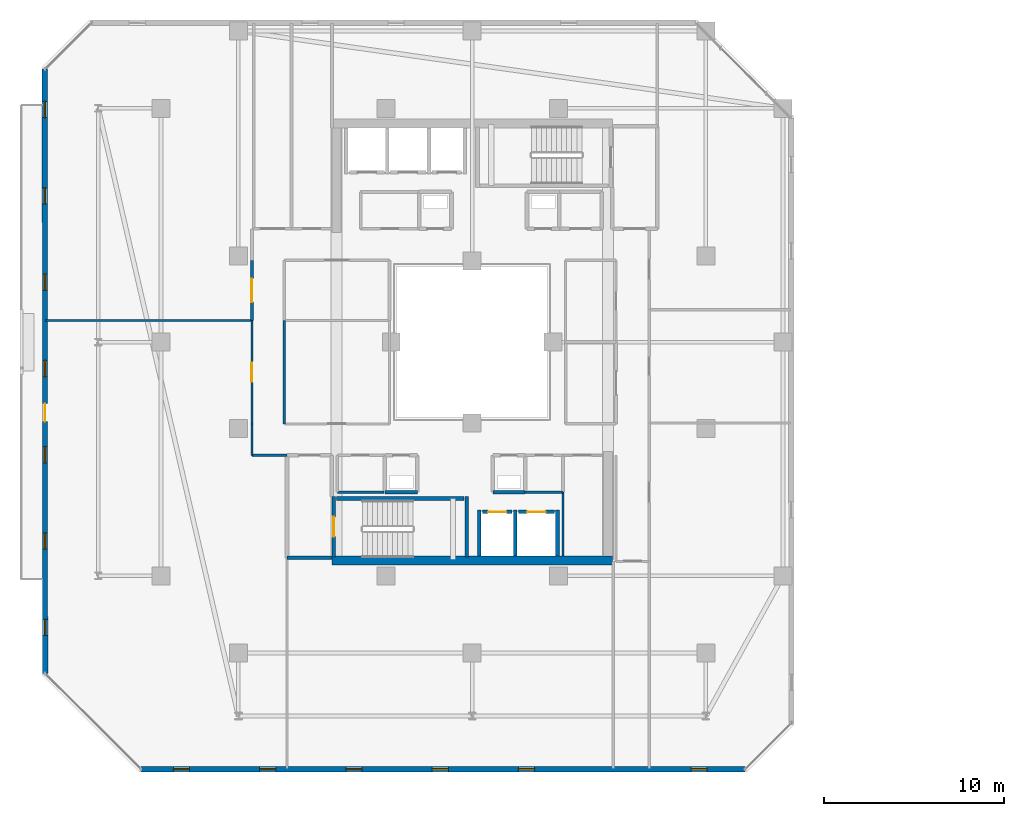
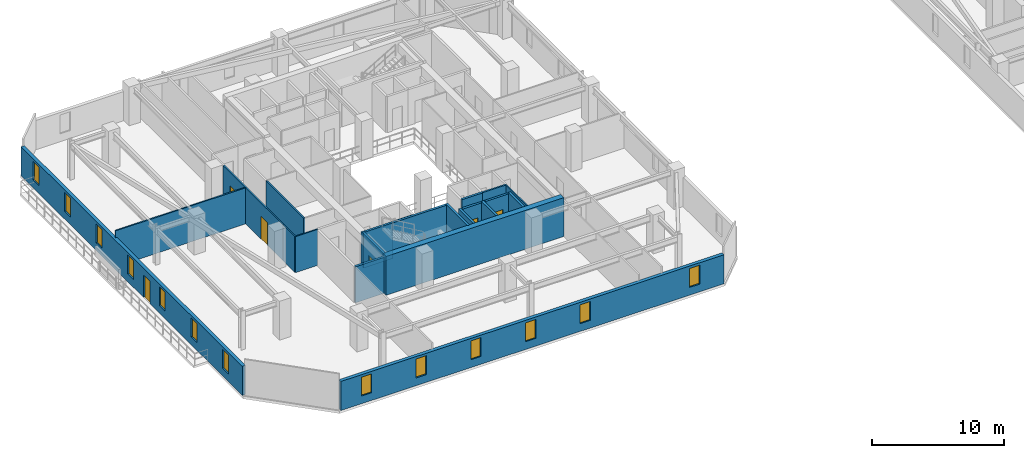
# One storey, part 18 of 32: 23 walls, 13 windows, 6 doors, 19 openings.
"""IFC4 building model written with IfcOpenShell, lengths in metres."""

from ifc_helpers import new_model, si_unit, direction, frame, frame_2d, origin, place, context, subcontext, project, spatial, rectangle, extrude, material, layer, layer_set, type_object, element, fill, save


model = new_model("IFC4")

# Units and contexts
model_context = context("Model", 3, precision=1e-05, world=origin(), true_north=direction((0.0, 1.0)))
body_context = subcontext(model_context, "Body", "Model", "MODEL_VIEW")
ifc_project = project(units=[si_unit("LENGTHUNIT", "METRE"), si_unit("AREAUNIT", "SQUARE_METRE"), si_unit("VOLUMEUNIT", "CUBIC_METRE"), si_unit("PLANEANGLEUNIT", "RADIAN"), si_unit("MASSUNIT", "GRAM", prefix="KILO")], contexts=[model_context])

# Site, building, storey
site_placement = place(None, origin())
site = spatial("IfcSite", under=ifc_project, at=site_placement, CompositionType="ELEMENT")
building_placement = place(site_placement, origin())
building = spatial("IfcBuilding", under=site, at=building_placement, Name="Thornwick Lancets Civic Towers", CompositionType="ELEMENT")
storey_placement = place(building_placement, frame((0.0, 0.0, 240.300048828125)))
storey = spatial("IfcBuildingStorey", under=building, at=storey_placement, Name="L64", CompositionType="ELEMENT", Elevation=240.300048828125)

# Wall, opening, door
ifc_material_1 = material(Name="Concrete blockwork C40/50", Category="masonry")
ifc_layer_1 = layer(ifc_material_1, 0.199951171875, Name="Concrete blockwork C40/50")
ifc_layer_set_1 = layer_set([ifc_layer_1], Name="Concrete blockwork C40/50")
wall_type_1 = type_object("IfcWallType", Name="WALL_COMP_200", PredefinedType="STANDARD", material=ifc_layer_set_1)
wall_1_placement = place(storey_placement, frame((26.080078125, 17.550048828125, 0.0), z_axis=(0.0, 0.0, 1.0), x_axis=(1.0, 0.0, 0.0)))
wall_1 = element("IfcWall", 1, at=wall_1_placement, inside=storey, type_object=wall_type_1, Name="L64 Hoistway Front Wall FL-A1", PredefinedType="STANDARD", context=body_context, shape_type="SweptSolid", body=[
    extrude(rectangle(XDim=1.639892578125, YDim=0.199951171875, at=frame_2d((0.81982421875, 0.0))), origin(), (0.0, 0.0, 1.0), 3.33984375),
])
opening_1_placement = place(wall_1_placement, frame((0.31005859375, 0.0, 0.0)))
opening_1 = element("IfcOpeningElement", 2, at=opening_1_placement, cuts=wall_1, Name="Opening LD-FL-A1", PredefinedType="OPENING", context=body_context, shape_type="SweptSolid", body=[
    extrude(rectangle(XDim=1.02001953125, YDim=2.06005859375, at=frame_2d((0.510009765625, 1.030029296875))), frame((0.0, 0.10986328125, 0.0), z_axis=(0.0, -1.0, 0.0), x_axis=(1.0, 0.0, 0.0)), (0.0, 0.0, 1.0), 0.219970703125),
])
ifc_material_2 = material(Name="Brushed bronze stainless steel", Category="steel")
door_type_1 = type_object("IfcDoorType", Name="DOOR_LIFT_SLIDE", OperationType="SLIDING_TO_LEFT", PredefinedType="DOOR", material=ifc_material_2)
door_1_placement = place(opening_1_placement, origin())
door_1 = element("IfcDoor", 3, at=door_1_placement, inside=storey, type_object=door_type_1, Name="L64 Sliding Lift Landing Door LD-FL-A1", OperationType="SLIDING_TO_LEFT", OverallHeight=2.06005859375, OverallWidth=1.02001953125, PredefinedType="DOOR", context=body_context, shape_type="SweptSolid", body=[
    extrude(rectangle(XDim=1.02001953125, YDim=2.06005859375, at=frame_2d((0.510009765625, 1.030029296875))), frame((0.0, 0.02490234375, 0.0), z_axis=(0.0, -1.0, 0.0), x_axis=(1.0, 0.0, 0.0)), (0.0, 0.0, 1.0), 0.050048828125),
])
fill(opening_1, door_1)

wall_2_placement = place(storey_placement, frame((28.080078125, 17.550048828125, 0.0), z_axis=(0.0, 0.0, 1.0), x_axis=(1.0, 0.0, 0.0)))
wall_2 = element("IfcWall", 4, at=wall_2_placement, inside=storey, type_object=wall_type_1, Name="L64 Hoistway Front Wall PL-AH1", PredefinedType="STANDARD", context=body_context, shape_type="SweptSolid", body=[
    extrude(rectangle(XDim=1.989990234375, YDim=0.199951171875, at=frame_2d((0.9951171875, 0.0))), origin(), (0.0, 0.0, 1.0), 3.33984375),
])
opening_2_placement = place(wall_2_placement, frame((0.485107421875, 0.0, 0.0)))
opening_2 = element("IfcOpeningElement", 5, at=opening_2_placement, cuts=wall_2, Name="Opening LD-PL-AH1", PredefinedType="OPENING", context=body_context, shape_type="SweptSolid", body=[
    extrude(rectangle(XDim=1.02001953125, YDim=2.06005859375, at=frame_2d((0.510009765625, 1.030029296875))), frame((0.0, 0.10986328125, 0.0), z_axis=(0.0, -1.0, 0.0), x_axis=(1.0, 0.0, 0.0)), (0.0, 0.0, 1.0), 0.219970703125),
])
door_2_placement = place(opening_2_placement, origin())
door_2 = element("IfcDoor", 6, at=door_2_placement, inside=storey, type_object=door_type_1, Name="L64 Sliding Lift Landing Door LD-PL-AH1", OperationType="SLIDING_TO_LEFT", OverallHeight=2.06005859375, OverallWidth=1.02001953125, PredefinedType="DOOR", context=body_context, shape_type="SweptSolid", body=[
    extrude(rectangle(XDim=1.02001953125, YDim=2.06005859375, at=frame_2d((0.510009765625, 1.030029296875))), frame((0.0, 0.02490234375, 0.0), z_axis=(0.0, -1.0, 0.0), x_axis=(1.0, 0.0, 0.0)), (0.0, 0.0, 1.0), 0.050048828125),
])
fill(opening_2, door_2)

# Walls
for number, where, z_axis, x_axis, name in (
    (7, (27.89990234375, 15.112060546875, 0.0), (0.0, 0.0, 1.0), (0.0, 1.0, 0.0), "L64 Hoistway Shaft Wall FL-A1 E"),
    (8, (25.89990234375, 15.112060546875, 0.0), (0.0, 0.0, 1.0), (0.0, 1.0, 0.0), "L64 Hoistway Shaft Wall FL-A1 W"),
    (9, (30.25, 15.112060546875, 0.0), (0.0, 0.0, 1.0), (0.0, 1.0, 0.0), "L64 Hoistway Shaft Wall PL-AH1 E"),
):
    element("IfcWall", number, at=place(storey_placement, frame(where, z_axis=z_axis, x_axis=x_axis)), inside=storey, type_object=wall_type_1, Name=name, PredefinedType="STANDARD", context=body_context, shape_type="SweptSolid", body=[
        extrude(rectangle(XDim=2.535888671875, YDim=0.199951171875, at=frame_2d((1.26806640625, 0.0))), origin(), (0.0, 0.0, 1.0), 3.33984375),
    ])
wall_3_placement = place(storey_placement, frame((15.199951171875, 15.0, 0.0), z_axis=(0.0, 0.0, 1.0), x_axis=(1.0, 0.0, 0.0)))
element("IfcWall", 10, at=wall_3_placement, inside=storey, type_object=wall_type_1, Name="L64 Partition L64-A-FFLOB1 E1", PredefinedType="STANDARD", context=body_context, shape_type="SweptSolid", body=[
    extrude(rectangle(XDim=2.5, YDim=0.199951171875, at=frame_2d((1.25, 0.0))), origin(), (0.0, 0.0, 1.0), 3.33984375),
])
for number, where, z_axis, x_axis, name in (
    (11, (26.64990234375, 18.64990234375, 0.0), (0.0, 0.0, 1.0), (1.0, 0.0, 0.0), "L64 Partition L64-A-DUCT1 E1"),
    (12, (20.64990234375, 18.64990234375, 0.0), (0.0, 0.0, 1.0), (1.0, 0.0, 0.0), "L64 Partition L64-A-RISER1 E1"),
):
    element("IfcWall", number, at=place(storey_placement, frame(where, z_axis=z_axis, x_axis=x_axis)), inside=storey, type_object=wall_type_1, Name=name, PredefinedType="STANDARD", context=body_context, shape_type="SweptSolid", body=[
        extrude(rectangle(XDim=1.800048828125, YDim=0.199951171875, at=frame_2d((0.89990234375, 0.0))), origin(), (0.0, 0.0, 1.0), 3.33984375),
    ])
ifc_material_3 = material(Name="Concrete C50/60", Category="concrete")
ifc_layer_2 = layer(ifc_material_3, 0.5, Name="Concrete C50/60")
ifc_layer_set_2 = layer_set([ifc_layer_2], Name="Concrete C50/60")
wall_type_2 = type_object("IfcWallType", Name="WALL_CORE_500", PredefinedType="SHEAR", material=ifc_layer_set_2)
wall_4_placement = place(storey_placement, frame((17.699951171875, 14.85009765625, 0.0), z_axis=(0.0, 0.0, 1.0), x_axis=(1.0, 0.0, 0.0)))
element("IfcWall", 13, at=wall_4_placement, inside=storey, type_object=wall_type_2, Name="L64 Split Core A1 Shear Wall S", PredefinedType="SHEAR", context=body_context, shape_type="SweptSolid", body=[
    extrude(rectangle(XDim=15.60009765625, YDim=0.5, at=frame_2d((7.800048828125, 0.0))), origin(), (0.0, 0.0, 1.0), 3.599853515625),
])

# Wall, openings, windows
ifc_material_4 = material(Name="Insulated russet terracotta rainscreen on concrete C40/50", Category="masonry")
ifc_layer_3 = layer(ifc_material_4, 0.300048828125, Name="Insulated russet terracotta rainscreen on concrete C40/50")
ifc_layer_set_3 = layer_set([ifc_layer_3], Name="Insulated russet terracotta rainscreen on concrete C40/50")
wall_type_3 = type_object("IfcWallType", Name="WALL_EXT_RUSSET_300", PredefinedType="STANDARD", material=ifc_layer_set_3)
wall_5_placement = place(storey_placement, frame((7.076416015625, 3.244384765625, 0.0), z_axis=(0.0, 0.0, 1.0), x_axis=(0.999999963872, -0.000268805477, 0.0)))
wall_5 = element("IfcWall", 14, at=wall_5_placement, inside=storey, type_object=wall_type_3, Name="L64 Tower A Terracotta Facade Wall E0", PredefinedType="STANDARD", context=body_context, shape_type="SweptSolid", body=[
    extrude(rectangle(XDim=33.60498046875, YDim=0.300048828125, at=frame_2d((16.802490234375, 0.0))), origin(), (0.0, 0.0, 1.0), 2.699951171875),
])
opening_3_placement = place(wall_5_placement, frame((1.800048828125, 0.0, 0.719970703125)))
opening_3 = element("IfcOpeningElement", 15, at=opening_3_placement, cuts=wall_5, Name="Opening WL-01", PredefinedType="OPENING", context=body_context, shape_type="SweptSolid", body=[
    extrude(rectangle(XDim=0.89990234375, YDim=1.75, at=frame_2d((0.449951171875, 0.875))), frame((0.0, 0.16015625, 0.0), z_axis=(0.0, -1.0, 0.0), x_axis=(1.0, 0.0, 0.0)), (0.0, 0.0, 1.0), 0.320068359375),
])
opening_4_placement = place(wall_5_placement, frame((6.60009765625, 0.0, 0.719970703125)))
opening_4 = element("IfcOpeningElement", 16, at=opening_4_placement, cuts=wall_5, Name="Opening WL-01", PredefinedType="OPENING", context=body_context, shape_type="SweptSolid", body=[
    extrude(rectangle(XDim=0.89990234375, YDim=1.75, at=frame_2d((0.449951171875, 0.875))), frame((0.0, 0.16015625, 0.0), z_axis=(0.0, -1.0, 0.0), x_axis=(1.0, 0.0, 0.0)), (0.0, 0.0, 1.0), 0.320068359375),
])
opening_5_placement = place(wall_5_placement, frame((11.39990234375, 0.0, 0.719970703125)))
opening_5 = element("IfcOpeningElement", 17, at=opening_5_placement, cuts=wall_5, Name="Opening WL-01", PredefinedType="OPENING", context=body_context, shape_type="SweptSolid", body=[
    extrude(rectangle(XDim=0.89990234375, YDim=1.75, at=frame_2d((0.449951171875, 0.875))), frame((0.0, 0.16015625, 0.0), z_axis=(0.0, -1.0, 0.0), x_axis=(1.0, 0.0, 0.0)), (0.0, 0.0, 1.0), 0.320068359375),
])
opening_6_placement = place(wall_5_placement, frame((16.199951171875, 0.0, 0.719970703125)))
opening_6 = element("IfcOpeningElement", 18, at=opening_6_placement, cuts=wall_5, Name="Opening WL-01", PredefinedType="OPENING", context=body_context, shape_type="SweptSolid", body=[
    extrude(rectangle(XDim=0.89990234375, YDim=1.75, at=frame_2d((0.449951171875, 0.875))), frame((0.0, 0.16015625, 0.0), z_axis=(0.0, -1.0, 0.0), x_axis=(1.0, 0.0, 0.0)), (0.0, 0.0, 1.0), 0.320068359375),
])
opening_7_placement = place(wall_5_placement, frame((21.0, 0.0, 0.719970703125)))
opening_7 = element("IfcOpeningElement", 19, at=opening_7_placement, cuts=wall_5, Name="Opening WL-01", PredefinedType="OPENING", context=body_context, shape_type="SweptSolid", body=[
    extrude(rectangle(XDim=0.89990234375, YDim=1.75, at=frame_2d((0.449951171875, 0.875))), frame((0.0, 0.16015625, 0.0), z_axis=(0.0, -1.0, 0.0), x_axis=(1.0, 0.0, 0.0)), (0.0, 0.0, 1.0), 0.320068359375),
])
opening_8_placement = place(wall_5_placement, frame((30.60009765625, 0.0, 0.719970703125)))
opening_8 = element("IfcOpeningElement", 20, at=opening_8_placement, cuts=wall_5, Name="Opening WL-01", PredefinedType="OPENING", context=body_context, shape_type="SweptSolid", body=[
    extrude(rectangle(XDim=0.89990234375, YDim=1.75, at=frame_2d((0.449951171875, 0.875))), frame((0.0, 0.16015625, 0.0), z_axis=(0.0, -1.0, 0.0), x_axis=(1.0, 0.0, 0.0)), (0.0, 0.0, 1.0), 0.320068359375),
])
ifc_material_5 = material(Name="Clear low-e double glazing in bronze frame", Category="glass")
window_type = type_object("IfcWindowType", Name="WIN_LANCET_900", PartitioningType="SINGLE_PANEL", PredefinedType="WINDOW", material=ifc_material_5)
window_1_placement = place(opening_3_placement, origin())
window_1 = element("IfcWindow", 21, at=window_1_placement, inside=storey, type_object=window_type, Name="L64 Tower A Staggered Lancet Window E0-1", OverallHeight=1.75, OverallWidth=0.89990234375, PartitioningType="SINGLE_PANEL", PredefinedType="WINDOW", context=body_context, shape_type="SweptSolid", body=[
    extrude(rectangle(XDim=0.89990234375, YDim=1.75, at=frame_2d((0.449951171875, 0.875))), frame((0.0, 0.030029296875, 0.0), z_axis=(0.0, -1.0, 0.0), x_axis=(1.0, 0.0, 0.0)), (0.0, 0.0, 1.0), 0.06005859375),
])
fill(opening_3, window_1)
window_2_placement = place(opening_4_placement, origin())
window_2 = element("IfcWindow", 22, at=window_2_placement, inside=storey, type_object=window_type, Name="L64 Tower A Staggered Lancet Window E0-2", OverallHeight=1.75, OverallWidth=0.89990234375, PartitioningType="SINGLE_PANEL", PredefinedType="WINDOW", context=body_context, shape_type="SweptSolid", body=[
    extrude(rectangle(XDim=0.89990234375, YDim=1.75, at=frame_2d((0.449951171875, 0.875))), frame((0.0, 0.030029296875, 0.0), z_axis=(0.0, -1.0, 0.0), x_axis=(1.0, 0.0, 0.0)), (0.0, 0.0, 1.0), 0.06005859375),
])
fill(opening_4, window_2)
window_3_placement = place(opening_5_placement, origin())
window_3 = element("IfcWindow", 23, at=window_3_placement, inside=storey, type_object=window_type, Name="L64 Tower A Staggered Lancet Window E0-3", OverallHeight=1.75, OverallWidth=0.89990234375, PartitioningType="SINGLE_PANEL", PredefinedType="WINDOW", context=body_context, shape_type="SweptSolid", body=[
    extrude(rectangle(XDim=0.89990234375, YDim=1.75, at=frame_2d((0.449951171875, 0.875))), frame((0.0, 0.030029296875, 0.0), z_axis=(0.0, -1.0, 0.0), x_axis=(1.0, 0.0, 0.0)), (0.0, 0.0, 1.0), 0.06005859375),
])
fill(opening_5, window_3)
window_4_placement = place(opening_6_placement, origin())
window_4 = element("IfcWindow", 24, at=window_4_placement, inside=storey, type_object=window_type, Name="L64 Tower A Staggered Lancet Window E0-4", OverallHeight=1.75, OverallWidth=0.89990234375, PartitioningType="SINGLE_PANEL", PredefinedType="WINDOW", context=body_context, shape_type="SweptSolid", body=[
    extrude(rectangle(XDim=0.89990234375, YDim=1.75, at=frame_2d((0.449951171875, 0.875))), frame((0.0, 0.030029296875, 0.0), z_axis=(0.0, -1.0, 0.0), x_axis=(1.0, 0.0, 0.0)), (0.0, 0.0, 1.0), 0.06005859375),
])
fill(opening_6, window_4)
window_5_placement = place(opening_7_placement, origin())
window_5 = element("IfcWindow", 25, at=window_5_placement, inside=storey, type_object=window_type, Name="L64 Tower A Staggered Lancet Window E0-5", OverallHeight=1.75, OverallWidth=0.89990234375, PartitioningType="SINGLE_PANEL", PredefinedType="WINDOW", context=body_context, shape_type="SweptSolid", body=[
    extrude(rectangle(XDim=0.89990234375, YDim=1.75, at=frame_2d((0.449951171875, 0.875))), frame((0.0, 0.030029296875, 0.0), z_axis=(0.0, -1.0, 0.0), x_axis=(1.0, 0.0, 0.0)), (0.0, 0.0, 1.0), 0.06005859375),
])
fill(opening_7, window_5)
window_6_placement = place(opening_8_placement, origin())
window_6 = element("IfcWindow", 26, at=window_6_placement, inside=storey, type_object=window_type, Name="L64 Tower A Staggered Lancet Window E0-6", OverallHeight=1.75, OverallWidth=0.89990234375, PartitioningType="SINGLE_PANEL", PredefinedType="WINDOW", context=body_context, shape_type="SweptSolid", body=[
    extrude(rectangle(XDim=0.89990234375, YDim=1.75, at=frame_2d((0.449951171875, 0.875))), frame((0.0, 0.030029296875, 0.0), z_axis=(0.0, -1.0, 0.0), x_axis=(1.0, 0.0, 0.0)), (0.0, 0.0, 1.0), 0.06005859375),
])
fill(opening_8, window_6)

# Wall, openings, door, windows
wall_6_placement = place(storey_placement, frame((1.7353515625, 42.181396484375, 0.0), z_axis=(0.0, 0.0, 1.0), x_axis=(0.000268805477, -0.999999963872, 0.0)))
wall_6 = element("IfcWall", 27, at=wall_6_placement, inside=storey, type_object=wall_type_3, Name="L64 Tower A Terracotta Facade Wall E6", PredefinedType="STANDARD", context=body_context, shape_type="SweptSolid", body=[
    extrude(rectangle(XDim=33.60498046875, YDim=0.300048828125, at=frame_2d((16.802490234375, 0.0))), origin(), (0.0, 0.0, 1.0), 2.699951171875),
])
opening_9_placement = place(wall_6_placement, frame((18.6025390625, 0.0, 0.0)))
opening_9 = element("IfcOpeningElement", 28, at=opening_9_placement, cuts=wall_6, Name="Opening D-BL-L64-AW", PredefinedType="OPENING", context=body_context, shape_type="SweptSolid", body=[
    extrude(rectangle(XDim=1.0, YDim=2.080078125, at=frame_2d((0.5, 1.0400390625))), frame((0.0, 0.16015625, 0.0), z_axis=(0.0, -1.0, 0.0), x_axis=(1.0, 0.0, 0.0)), (0.0, 0.0, 1.0), 0.320068359375),
])
opening_10_placement = place(wall_6_placement, frame((1.800048828125, 0.0, 0.719970703125)))
opening_10 = element("IfcOpeningElement", 29, at=opening_10_placement, cuts=wall_6, Name="Opening WL-01", PredefinedType="OPENING", context=body_context, shape_type="SweptSolid", body=[
    extrude(rectangle(XDim=0.89990234375, YDim=1.75, at=frame_2d((0.449951171875, 0.875))), frame((0.0, 0.16015625, 0.0), z_axis=(0.0, -1.0, 0.0), x_axis=(1.0, 0.0, 0.0)), (0.0, 0.0, 1.0), 0.320068359375),
])
opening_11_placement = place(wall_6_placement, frame((6.60009765625, 0.0, 0.719970703125)))
opening_11 = element("IfcOpeningElement", 30, at=opening_11_placement, cuts=wall_6, Name="Opening WL-01", PredefinedType="OPENING", context=body_context, shape_type="SweptSolid", body=[
    extrude(rectangle(XDim=0.89990234375, YDim=1.75, at=frame_2d((0.449951171875, 0.875))), frame((0.0, 0.16015625, 0.0), z_axis=(0.0, -1.0, 0.0), x_axis=(1.0, 0.0, 0.0)), (0.0, 0.0, 1.0), 0.320068359375),
])
opening_12_placement = place(wall_6_placement, frame((11.39990234375, 0.0, 0.719970703125)))
opening_12 = element("IfcOpeningElement", 31, at=opening_12_placement, cuts=wall_6, Name="Opening WL-01", PredefinedType="OPENING", context=body_context, shape_type="SweptSolid", body=[
    extrude(rectangle(XDim=0.89990234375, YDim=1.75, at=frame_2d((0.449951171875, 0.875))), frame((0.0, 0.16015625, 0.0), z_axis=(0.0, -1.0, 0.0), x_axis=(1.0, 0.0, 0.0)), (0.0, 0.0, 1.0), 0.320068359375),
])
opening_13_placement = place(wall_6_placement, frame((16.199951171875, 0.0, 0.719970703125)))
opening_13 = element("IfcOpeningElement", 32, at=opening_13_placement, cuts=wall_6, Name="Opening WL-01", PredefinedType="OPENING", context=body_context, shape_type="SweptSolid", body=[
    extrude(rectangle(XDim=0.89990234375, YDim=1.75, at=frame_2d((0.449951171875, 0.875))), frame((0.0, 0.16015625, 0.0), z_axis=(0.0, -1.0, 0.0), x_axis=(1.0, 0.0, 0.0)), (0.0, 0.0, 1.0), 0.320068359375),
])
opening_14_placement = place(wall_6_placement, frame((21.0, 0.0, 0.719970703125)))
opening_14 = element("IfcOpeningElement", 33, at=opening_14_placement, cuts=wall_6, Name="Opening WL-01", PredefinedType="OPENING", context=body_context, shape_type="SweptSolid", body=[
    extrude(rectangle(XDim=0.89990234375, YDim=1.75, at=frame_2d((0.449951171875, 0.875))), frame((0.0, 0.16015625, 0.0), z_axis=(0.0, -1.0, 0.0), x_axis=(1.0, 0.0, 0.0)), (0.0, 0.0, 1.0), 0.320068359375),
])
opening_15_placement = place(wall_6_placement, frame((25.800048828125, 0.0, 0.719970703125)))
opening_15 = element("IfcOpeningElement", 34, at=opening_15_placement, cuts=wall_6, Name="Opening WL-01", PredefinedType="OPENING", context=body_context, shape_type="SweptSolid", body=[
    extrude(rectangle(XDim=0.89990234375, YDim=1.75, at=frame_2d((0.449951171875, 0.875))), frame((0.0, 0.16015625, 0.0), z_axis=(0.0, -1.0, 0.0), x_axis=(1.0, 0.0, 0.0)), (0.0, 0.0, 1.0), 0.320068359375),
])
opening_16_placement = place(wall_6_placement, frame((30.60009765625, 0.0, 0.719970703125)))
opening_16 = element("IfcOpeningElement", 35, at=opening_16_placement, cuts=wall_6, Name="Opening WL-01", PredefinedType="OPENING", context=body_context, shape_type="SweptSolid", body=[
    extrude(rectangle(XDim=0.89990234375, YDim=1.75, at=frame_2d((0.449951171875, 0.875))), frame((0.0, 0.16015625, 0.0), z_axis=(0.0, -1.0, 0.0), x_axis=(1.0, 0.0, 0.0)), (0.0, 0.0, 1.0), 0.320068359375),
])
ifc_material_6 = material(Name="Thermally broken glazed loggia doorset")
door_type_2 = type_object("IfcDoorType", Name="DOOR_BALC_1000", OperationType="NOTDEFINED", PredefinedType="DOOR", material=ifc_material_6)
door_3_placement = place(opening_9_placement, origin())
door_3 = element("IfcDoor", 36, at=door_3_placement, inside=storey, type_object=door_type_2, Name="L64 Tower A Loggia Balcony Door W", OperationType="SINGLE_SWING_LEFT", OverallHeight=2.080078125, OverallWidth=1.0, PredefinedType="DOOR", context=body_context, shape_type="SweptSolid", body=[
    extrude(rectangle(XDim=1.0, YDim=2.080078125, at=frame_2d((0.5, 1.0400390625))), frame((0.0, 0.02490234375, 0.0), z_axis=(0.0, -1.0, 0.0), x_axis=(1.0, 0.0, 0.0)), (0.0, 0.0, 1.0), 0.050048828125),
])
fill(opening_9, door_3)
window_7_placement = place(opening_10_placement, origin())
window_7 = element("IfcWindow", 37, at=window_7_placement, inside=storey, type_object=window_type, Name="L64 Tower A Staggered Lancet Window E6-1", OverallHeight=1.75, OverallWidth=0.89990234375, PartitioningType="SINGLE_PANEL", PredefinedType="WINDOW", context=body_context, shape_type="SweptSolid", body=[
    extrude(rectangle(XDim=0.89990234375, YDim=1.75, at=frame_2d((0.449951171875, 0.875))), frame((0.0, 0.030029296875, 0.0), z_axis=(0.0, -1.0, 0.0), x_axis=(1.0, 0.0, 0.0)), (0.0, 0.0, 1.0), 0.06005859375),
])
fill(opening_10, window_7)
window_8_placement = place(opening_11_placement, origin())
window_8 = element("IfcWindow", 38, at=window_8_placement, inside=storey, type_object=window_type, Name="L64 Tower A Staggered Lancet Window E6-2", OverallHeight=1.75, OverallWidth=0.89990234375, PartitioningType="SINGLE_PANEL", PredefinedType="WINDOW", context=body_context, shape_type="SweptSolid", body=[
    extrude(rectangle(XDim=0.89990234375, YDim=1.75, at=frame_2d((0.449951171875, 0.875))), frame((0.0, 0.030029296875, 0.0), z_axis=(0.0, -1.0, 0.0), x_axis=(1.0, 0.0, 0.0)), (0.0, 0.0, 1.0), 0.06005859375),
])
fill(opening_11, window_8)
window_9_placement = place(opening_12_placement, origin())
window_9 = element("IfcWindow", 39, at=window_9_placement, inside=storey, type_object=window_type, Name="L64 Tower A Staggered Lancet Window E6-3", OverallHeight=1.75, OverallWidth=0.89990234375, PartitioningType="SINGLE_PANEL", PredefinedType="WINDOW", context=body_context, shape_type="SweptSolid", body=[
    extrude(rectangle(XDim=0.89990234375, YDim=1.75, at=frame_2d((0.449951171875, 0.875))), frame((0.0, 0.030029296875, 0.0), z_axis=(0.0, -1.0, 0.0), x_axis=(1.0, 0.0, 0.0)), (0.0, 0.0, 1.0), 0.06005859375),
])
fill(opening_12, window_9)
window_10_placement = place(opening_13_placement, origin())
window_10 = element("IfcWindow", 40, at=window_10_placement, inside=storey, type_object=window_type, Name="L64 Tower A Staggered Lancet Window E6-4", OverallHeight=1.75, OverallWidth=0.89990234375, PartitioningType="SINGLE_PANEL", PredefinedType="WINDOW", context=body_context, shape_type="SweptSolid", body=[
    extrude(rectangle(XDim=0.89990234375, YDim=1.75, at=frame_2d((0.449951171875, 0.875))), frame((0.0, 0.030029296875, 0.0), z_axis=(0.0, -1.0, 0.0), x_axis=(1.0, 0.0, 0.0)), (0.0, 0.0, 1.0), 0.06005859375),
])
fill(opening_13, window_10)
window_11_placement = place(opening_14_placement, origin())
window_11 = element("IfcWindow", 41, at=window_11_placement, inside=storey, type_object=window_type, Name="L64 Tower A Staggered Lancet Window E6-5", OverallHeight=1.75, OverallWidth=0.89990234375, PartitioningType="SINGLE_PANEL", PredefinedType="WINDOW", context=body_context, shape_type="SweptSolid", body=[
    extrude(rectangle(XDim=0.89990234375, YDim=1.75, at=frame_2d((0.449951171875, 0.875))), frame((0.0, 0.030029296875, 0.0), z_axis=(0.0, -1.0, 0.0), x_axis=(1.0, 0.0, 0.0)), (0.0, 0.0, 1.0), 0.06005859375),
])
fill(opening_14, window_11)
window_12_placement = place(opening_15_placement, origin())
window_12 = element("IfcWindow", 42, at=window_12_placement, inside=storey, type_object=window_type, Name="L64 Tower A Staggered Lancet Window E6-6", OverallHeight=1.75, OverallWidth=0.89990234375, PartitioningType="SINGLE_PANEL", PredefinedType="WINDOW", context=body_context, shape_type="SweptSolid", body=[
    extrude(rectangle(XDim=0.89990234375, YDim=1.75, at=frame_2d((0.449951171875, 0.875))), frame((0.0, 0.030029296875, 0.0), z_axis=(0.0, -1.0, 0.0), x_axis=(1.0, 0.0, 0.0)), (0.0, 0.0, 1.0), 0.06005859375),
])
fill(opening_15, window_12)
window_13_placement = place(opening_16_placement, origin())
window_13 = element("IfcWindow", 43, at=window_13_placement, inside=storey, type_object=window_type, Name="L64 Tower A Staggered Lancet Window E6-7", OverallHeight=1.75, OverallWidth=0.89990234375, PartitioningType="SINGLE_PANEL", PredefinedType="WINDOW", context=body_context, shape_type="SweptSolid", body=[
    extrude(rectangle(XDim=0.89990234375, YDim=1.75, at=frame_2d((0.449951171875, 0.875))), frame((0.0, 0.030029296875, 0.0), z_axis=(0.0, -1.0, 0.0), x_axis=(1.0, 0.0, 0.0)), (0.0, 0.0, 1.0), 0.06005859375),
])
fill(opening_16, window_13)

# Walls
ifc_material_7 = material(Name="Lightweight cellular office partition")
ifc_layer_4 = layer(ifc_material_7, 0.10009765625, Name="Lightweight cellular office partition")
ifc_layer_set_4 = layer_set([ifc_layer_4], Name="Lightweight cellular office partition")
wall_type_4 = type_object("IfcWallType", Name="WALL_PART_100", PredefinedType="PARTITIONING", material=ifc_layer_set_4)
wall_7_placement = place(storey_placement, frame((30.550048828125, 15.10009765625, 0.0), z_axis=(0.0, 0.0, 1.0), x_axis=(0.0, 1.0, 0.0)))
element("IfcWall", 44, at=wall_7_placement, inside=storey, type_object=wall_type_4, Name="L64 Partition L64-A-CLN E3", PredefinedType="PARTITIONING", context=body_context, shape_type="SweptSolid", body=[
    extrude(rectangle(XDim=3.5498046875, YDim=0.10009765625, at=frame_2d((1.77490234375, 0.0))), origin(), (0.0, 0.0, 1.0), 3.33984375),
])
ifc_material_8 = material(Name="Acoustic gypsum board partition")
ifc_layer_5 = layer(ifc_material_8, 0.1201171875, Name="Acoustic gypsum board partition")
ifc_layer_set_5 = layer_set([ifc_layer_5], Name="Acoustic gypsum board partition")
wall_type_5 = type_object("IfcWallType", Name="WALL_PART_120", PredefinedType="PARTITIONING", material=ifc_layer_set_5)
wall_8_placement = place(storey_placement, frame((13.25, 22.449951171875, 0.0), z_axis=(0.0, 0.0, 1.0), x_axis=(0.0, -1.0, 0.0)))
element("IfcWall", 45, at=wall_8_placement, inside=storey, type_object=wall_type_5, Name="L64 Partition L64-A-W1 E1", PredefinedType="PARTITIONING", context=body_context, shape_type="SweptSolid", body=[
    extrude(rectangle(XDim=1.75, YDim=0.1201171875, at=frame_2d((0.875, 0.0))), origin(), (0.0, 0.0, 1.0), 3.33984375),
])
wall_9_placement = place(storey_placement, frame((13.25, 20.699951171875, 0.0), z_axis=(0.0, 0.0, 1.0), x_axis=(1.0, 0.0, 0.0)))
element("IfcWall", 46, at=wall_9_placement, inside=storey, type_object=wall_type_5, Name="L64 Partition L64-A-W1 E2", PredefinedType="PARTITIONING", context=body_context, shape_type="SweptSolid", body=[
    extrude(rectangle(XDim=1.949951171875, YDim=0.1201171875, at=frame_2d((0.97509765625, 0.0))), origin(), (0.0, 0.0, 1.0), 3.33984375),
])
wall_10_placement = place(storey_placement, frame((1.780029296875, 28.199951171875, 0.0), z_axis=(0.0, 0.0, 1.0), x_axis=(1.0, 0.0, 0.0)))
element("IfcWall", 47, at=wall_10_placement, inside=storey, type_object=wall_type_5, Name="L64 Partition L64-A-W1 E8", PredefinedType="PARTITIONING", context=body_context, shape_type="SweptSolid", body=[
    extrude(rectangle(XDim=11.469970703125, YDim=0.1201171875, at=frame_2d((5.73486328125, 0.0))), origin(), (0.0, 0.0, 1.0), 3.33984375),
])

# Wall, opening, door
wall_11_placement = place(storey_placement, frame((13.25, 28.199951171875, 0.0), z_axis=(0.0, 0.0, 1.0), x_axis=(0.0, -1.0, 0.0)))
wall_11 = element("IfcWall", 48, at=wall_11_placement, inside=storey, type_object=wall_type_5, Name="L64 Partition L64-A-W1 E9", PredefinedType="PARTITIONING", context=body_context, shape_type="SweptSolid", body=[
    extrude(rectangle(XDim=5.75, YDim=0.1201171875, at=frame_2d((2.875, 0.0))), origin(), (0.0, 0.0, 1.0), 3.33984375),
])
opening_17_placement = place(wall_11_placement, frame((2.35009765625, 0.0, 0.0)))
opening_17 = element("IfcOpeningElement", 49, at=opening_17_placement, cuts=wall_11, Name="Opening D-L64-2898", PredefinedType="OPENING", context=body_context, shape_type="SweptSolid", body=[
    extrude(rectangle(XDim=1.050048828125, YDim=2.10009765625, at=frame_2d((0.52490234375, 1.050048828125))), frame((0.0, 0.070068359375, 0.0), z_axis=(0.0, -1.0, 0.0), x_axis=(1.0, 0.0, 0.0)), (0.0, 0.0, 1.0), 0.14013671875),
])
ifc_material_9 = material(Name="Glazed European oak executive doorset")
door_type_3 = type_object("IfcDoorType", Name="DOOR_OFFICE_1050", OperationType="NOTDEFINED", PredefinedType="DOOR", material=ifc_material_9)
door_4_placement = place(opening_17_placement, origin())
door_4 = element("IfcDoor", 50, at=door_4_placement, inside=storey, type_object=door_type_3, Name="L64 Tower A Ministry Directorate Office W1 Door", OperationType="SINGLE_SWING_LEFT", OverallHeight=2.10009765625, OverallWidth=1.050048828125, PredefinedType="DOOR", context=body_context, shape_type="SweptSolid", body=[
    extrude(rectangle(XDim=1.050048828125, YDim=2.10009765625, at=frame_2d((0.52490234375, 1.050048828125))), frame((0.0, 0.02490234375, 0.0), z_axis=(0.0, -1.0, 0.0), x_axis=(1.0, 0.0, 0.0)), (0.0, 0.0, 1.0), 0.050048828125),
])
fill(opening_17, door_4)

# Walls
wall_12_placement = place(storey_placement, frame((15.050048828125, 22.449951171875, 0.0), z_axis=(0.0, 0.0, 1.0), x_axis=(0.0, 1.0, 0.0)))
element("IfcWall", 51, at=wall_12_placement, inside=storey, type_object=wall_type_5, Name="L64 Partition L64-A-W3 E1", PredefinedType="PARTITIONING", context=body_context, shape_type="SweptSolid", body=[
    extrude(rectangle(XDim=5.75, YDim=0.1201171875, at=frame_2d((2.875, 0.0))), origin(), (0.0, 0.0, 1.0), 3.33984375),
])
ifc_material_10 = material(Name="Twin-stud acoustic gypsum board")
ifc_layer_6 = layer(ifc_material_10, 0.14990234375, Name="Twin-stud acoustic gypsum board")
ifc_layer_set_6 = layer_set([ifc_layer_6], Name="Twin-stud acoustic gypsum board")
wall_type_6 = type_object("IfcWallType", Name="WALL_PART_150", PredefinedType="PARTITIONING", material=ifc_layer_set_6)
wall_13_placement = place(storey_placement, frame((18.0, 18.64990234375, 0.0), z_axis=(0.0, 0.0, 1.0), x_axis=(1.0, 0.0, 0.0)))
element("IfcWall", 52, at=wall_13_placement, inside=storey, type_object=wall_type_6, Name="L64 Partition L64-A-AWC E1", PredefinedType="PARTITIONING", context=body_context, shape_type="SweptSolid", body=[
    extrude(rectangle(XDim=2.60009765625, YDim=0.14990234375, at=frame_2d((1.300048828125, 0.0))), origin(), (0.0, 0.0, 1.0), 3.33984375),
])
wall_14_placement = place(storey_placement, frame((30.550048828125, 18.64990234375, 0.0), z_axis=(0.0, 0.0, 1.0), x_axis=(-1.0, 0.0, 0.0)))
element("IfcWall", 53, at=wall_14_placement, inside=storey, type_object=wall_type_6, Name="L64 Partition L64-A-MWC E2", PredefinedType="PARTITIONING", context=body_context, shape_type="SweptSolid", body=[
    extrude(rectangle(XDim=2.10009765625, YDim=0.14990234375, at=frame_2d((1.050048828125, 0.0))), origin(), (0.0, 0.0, 1.0), 3.33984375),
])

# Wall, opening, door
wall_15_placement = place(storey_placement, frame((13.25, 31.550048828125, 0.0), z_axis=(0.0, 0.0, 1.0), x_axis=(0.0, -1.0, 0.0)))
wall_15 = element("IfcWall", 54, at=wall_15_placement, inside=storey, type_object=wall_type_6, Name="L64 Partition L64-A-W2 E6", PredefinedType="PARTITIONING", context=body_context, shape_type="SweptSolid", body=[
    extrude(rectangle(XDim=3.35009765625, YDim=0.14990234375, at=frame_2d((1.675048828125, 0.0))), origin(), (0.0, 0.0, 1.0), 3.33984375),
])
opening_18_placement = place(wall_15_placement, frame((1.02490234375, 0.0, 0.0)))
opening_18 = element("IfcOpeningElement", 55, at=opening_18_placement, cuts=wall_15, Name="Opening D-L64-2899", PredefinedType="OPENING", context=body_context, shape_type="SweptSolid", body=[
    extrude(rectangle(XDim=1.300048828125, YDim=2.1201171875, at=frame_2d((0.64990234375, 1.06005859375))), frame((0.0, 0.0849609375, 0.0), z_axis=(0.0, -1.0, 0.0), x_axis=(1.0, 0.0, 0.0)), (0.0, 0.0, 1.0), 0.169921875),
])
ifc_material_11 = material(Name="Acoustic oak leaf-and-a-half doorset")
door_type_4 = type_object("IfcDoorType", Name="DOOR_MEET_1300", OperationType="DOUBLE_DOOR_SINGLE_SWING", PredefinedType="DOOR", material=ifc_material_11)
door_5_placement = place(opening_18_placement, origin())
door_5 = element("IfcDoor", 56, at=door_5_placement, inside=storey, type_object=door_type_4, Name="L64 Tower A Policy Briefing Room W2 Door", OperationType="DOUBLE_DOOR_SINGLE_SWING", OverallHeight=2.1201171875, OverallWidth=1.300048828125, PredefinedType="DOOR", context=body_context, shape_type="SweptSolid", body=[
    extrude(rectangle(XDim=1.300048828125, YDim=2.1201171875, at=frame_2d((0.64990234375, 1.06005859375))), frame((0.0, 0.02490234375, 0.0), z_axis=(0.0, -1.0, 0.0), x_axis=(1.0, 0.0, 0.0)), (0.0, 0.0, 1.0), 0.050048828125),
])
fill(opening_18, door_5)

ifc_material_12 = material(Name="Concrete C40/50", Category="concrete")
ifc_layer_7 = layer(ifc_material_12, 0.199951171875, Name="Concrete C40/50")
ifc_layer_set_7 = layer_set([ifc_layer_7], Name="Concrete C40/50")
wall_type_7 = type_object("IfcWallType", Name="WALL_SHAFT_200", PredefinedType="SHEAR", material=ifc_layer_set_7)
wall_16_placement = place(storey_placement, frame((17.800048828125, 15.050048828125, 0.0), z_axis=(0.0, 0.0, 1.0), x_axis=(0.0, 1.0, 0.0)))
wall_16 = element("IfcWall", 57, at=wall_16_placement, inside=storey, type_object=wall_type_7, Name="L64 ST-A1 Fire Stair Core Wall NEAR", PredefinedType="SHEAR", context=body_context, shape_type="SweptSolid", body=[
    extrude(rectangle(XDim=3.349853515625, YDim=0.199951171875, at=frame_2d((1.6748046875, 0.0))), origin(), (0.0, 0.0, 1.0), 3.599853515625),
])
opening_19_placement = place(wall_16_placement, frame((1.125, 0.0, 0.0)))
opening_19 = element("IfcOpeningElement", 58, at=opening_19_placement, cuts=wall_16, Name="Opening D-ST-A1-L64", PredefinedType="OPENING", context=body_context, shape_type="SweptSolid", body=[
    extrude(rectangle(XDim=1.10009765625, YDim=2.10009765625, at=frame_2d((0.550048828125, 1.050048828125))), frame((0.0, 0.10986328125, 0.0), z_axis=(0.0, -1.0, 0.0), x_axis=(1.0, 0.0, 0.0)), (0.0, 0.0, 1.0), 0.219970703125),
])
ifc_material_13 = material(Name="Fire-resisting steel and hardwood", Category="steel")
door_type_5 = type_object("IfcDoorType", Name="DOOR_STAIR_FD60", OperationType="NOTDEFINED", PredefinedType="DOOR", material=ifc_material_13)
door_6_placement = place(opening_19_placement, origin())
door_6 = element("IfcDoor", 59, at=door_6_placement, inside=storey, type_object=door_type_5, Name="L64 ST-A1 Exit Stair Door", OperationType="SINGLE_SWING_RIGHT", OverallHeight=2.10009765625, OverallWidth=1.10009765625, PredefinedType="DOOR", context=body_context, shape_type="SweptSolid", body=[
    extrude(rectangle(XDim=1.10009765625, YDim=2.10009765625, at=frame_2d((0.550048828125, 1.050048828125))), frame((0.0, 0.02490234375, 0.0), z_axis=(0.0, -1.0, 0.0), x_axis=(1.0, 0.0, 0.0)), (0.0, 0.0, 1.0), 0.050048828125),
])
fill(opening_19, door_6)

# Walls
wall_17_placement = place(storey_placement, frame((25.199951171875, 18.39990234375, 0.0), z_axis=(0.0, 0.0, 1.0), x_axis=(0.0, -1.0, 0.0)))
element("IfcWall", 60, at=wall_17_placement, inside=storey, type_object=wall_type_7, Name="L64 ST-A1 Fire Stair Core Wall FAR", PredefinedType="SHEAR", context=body_context, shape_type="SweptSolid", body=[
    extrude(rectangle(XDim=3.349853515625, YDim=0.199951171875, at=frame_2d((1.6748046875, 0.0))), origin(), (0.0, 0.0, 1.0), 3.599853515625),
])
wall_18_placement = place(storey_placement, frame((25.050048828125, 18.297119140625, 0.0), z_axis=(0.0, 0.0, 1.0), x_axis=(-1.0, 0.0, 0.0)))
element("IfcWall", 61, at=wall_18_placement, inside=storey, type_object=wall_type_7, Name="L64 ST-A1 Fire Stair Core Wall RIGHT", PredefinedType="SHEAR", context=body_context, shape_type="SweptSolid", body=[
    extrude(rectangle(XDim=7.10009765625, YDim=0.199951171875, at=frame_2d((3.550048828125, 0.0))), origin(), (0.0, 0.0, 1.0), 3.599853515625),
])

save(model, "model.ifc")
